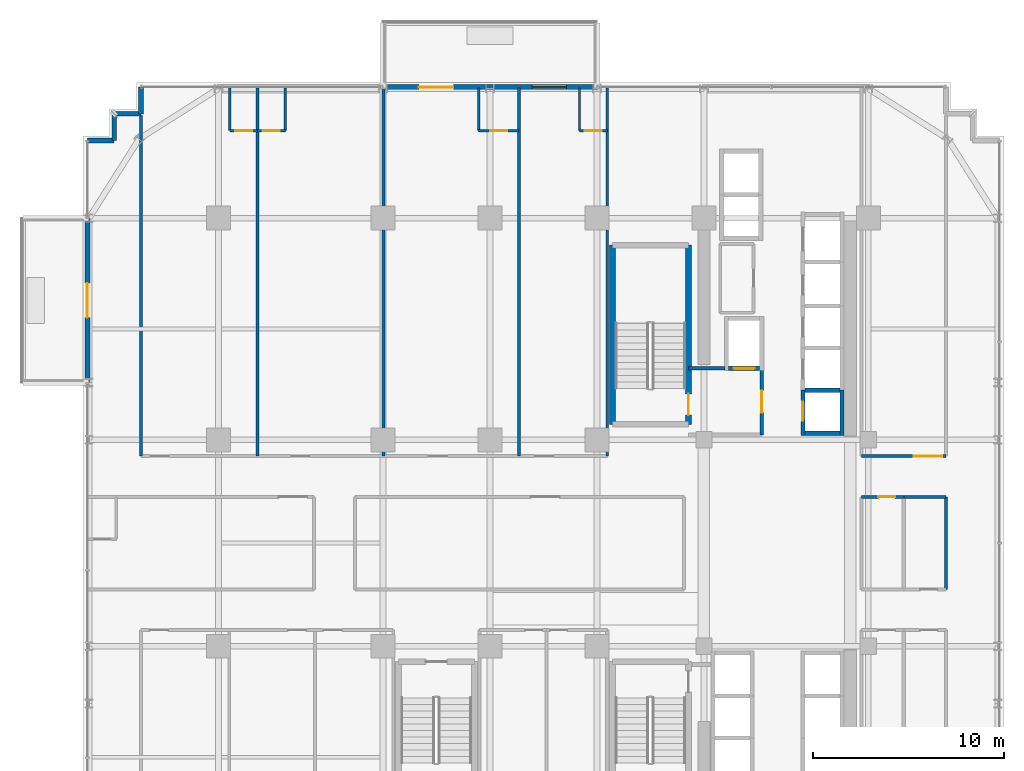
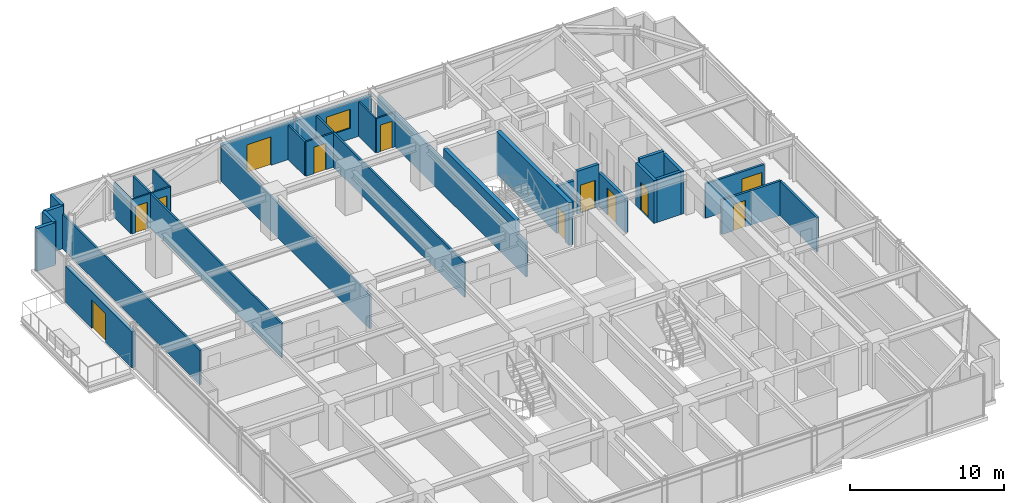
# One storey, part 34 of 39: 32 walls, 12 doors, 1 window, 13 openings.
"""IFC4 building model written with IfcOpenShell, lengths in metres."""

from ifc_helpers import new_model, si_unit, direction, frame, frame_2d, origin, place, context, subcontext, project, spatial, rectangle, extrude, source, transform, mapped, material, layer, layer_set, type_object, element, fill, save


model = new_model("IFC4")

# Units and contexts
model_context = context("Model", 3, precision=1e-05, world=origin(), true_north=direction((0.0, 1.0)))
body_context = subcontext(model_context, "Body", "Model", "MODEL_VIEW")
ifc_project = project(units=[si_unit("LENGTHUNIT", "METRE"), si_unit("AREAUNIT", "SQUARE_METRE"), si_unit("VOLUMEUNIT", "CUBIC_METRE"), si_unit("PLANEANGLEUNIT", "RADIAN"), si_unit("MASSUNIT", "GRAM", prefix="KILO")], contexts=[model_context])

# Site, building, storey
site_placement = place(None, origin())
site = spatial("IfcSite", under=ifc_project, at=site_placement, CompositionType="ELEMENT")
building_placement = place(site_placement, origin())
building = spatial("IfcBuilding", under=site, at=building_placement, Name="Nahalor Promenade Grand Hotel", CompositionType="ELEMENT")
storey_placement = place(building_placement, frame((0.0, 0.0, 135.75)))
storey = spatial("IfcBuildingStorey", under=building, at=storey_placement, Name="L34", CompositionType="ELEMENT", Elevation=135.75)

# Wall
ifc_material_1 = material(Name="Concrete B-50 (C40/50)", Category="concrete")
ifc_layer_1 = layer(ifc_material_1, 0.300048828125)
ifc_layer_set_1 = layer_set([ifc_layer_1], Name="Concrete B-50 (C40/50)")
wall_type_1 = type_object("IfcWallType", Name="Wall-ShaftShear-300", PredefinedType="SHEAR", material=ifc_layer_set_1)
shared_shape_1 = source(origin(), body_context, "Body", "SweptSolid", [
    extrude(rectangle(XDim=9.380126953125, YDim=0.300048828125, at=frame_2d((4.68994140625, 0.0))), origin(), (0.0, 0.0, 1.0), 3.3798828125),
])
wall_1_placement = place(storey_placement, frame((3.610107421875, 6.2099609375, 0.0), z_axis=(0.0, 0.0, 1.0), x_axis=(0.0, 1.0, 0.0)))
element("IfcWall", 1, at=wall_1_placement, inside=storey, type_object=wall_type_1, Name="L34 Exit Stair ST1 Shaft Wall W", PredefinedType="SHEAR", context=body_context, shape_type="MappedRepresentation", body=[
    mapped(shared_shape_1, transform((0.0, 0.0, 0.0), scale=1.0)),
])

# Wall, opening, door
wall_2_placement = place(storey_placement, frame((7.590087890625, 6.2099609375, 0.0), z_axis=(0.0, 0.0, 1.0), x_axis=(0.0, 1.0, 0.0)))
wall_2 = element("IfcWall", 2, at=wall_2_placement, inside=storey, type_object=wall_type_1, Name="L34 Exit Stair ST1 Shaft Wall E", PredefinedType="SHEAR", context=body_context, shape_type="MappedRepresentation", body=[
    mapped(shared_shape_1, transform((0.0, 0.0, 0.0), scale=1.0)),
])
opening_1_placement = place(wall_2_placement, frame((0.489990234375, 0.0, 0.0)))
opening_1 = element("IfcOpeningElement", 3, at=opening_1_placement, cuts=wall_2, Name="Opening D-ST1", PredefinedType="OPENING", context=body_context, shape_type="SweptSolid", body=[
    extrude(rectangle(XDim=1.10009765625, YDim=2.14990234375, at=frame_2d((0.550048828125, 1.074951171875))), frame((0.0, 0.159912109375, 0.0), z_axis=(0.0, -1.0, 0.0), x_axis=(1.0, 0.0, 0.0)), (0.0, 0.0, 1.0), 0.320068359375),
])
ifc_material_2 = material(Name="Steel S355JR", Category="steel")
door_type_1 = type_object("IfcDoorType", Name="Door-StairFire-1100", OperationType="NOTDEFINED", PredefinedType="DOOR", material=ifc_material_2)
shared_shape_2 = source(origin(), body_context, "Body", "SweptSolid", [
    extrude(rectangle(XDim=1.10009765625, YDim=2.14990234375, at=frame_2d((0.550048828125, 1.074951171875))), frame((0.0, 0.02490234375, 0.0), z_axis=(0.0, -1.0, 0.0), x_axis=(1.0, 0.0, 0.0)), (0.0, 0.0, 1.0), 0.050048828125),
])
door_1_placement = place(opening_1_placement, origin())
door_1 = element("IfcDoor", 4, at=door_1_placement, inside=storey, type_object=door_type_1, Name="DR-STAIR-ST1-L34", OperationType="SINGLE_SWING_LEFT", OverallHeight=2.14990234375, OverallWidth=1.10009765625, PredefinedType="DOOR", context=body_context, shape_type="MappedRepresentation", body=[
    mapped(shared_shape_2, transform((0.0, 0.0, 0.0), scale=1.0)),
])
fill(opening_1, door_1)

# Wall
ifc_layer_2 = layer(ifc_material_1, 0.219970703125)
ifc_layer_set_2 = layer_set([ifc_layer_2], Name="Concrete B-50 (C40/50)")
wall_type_2 = type_object("IfcWallType", Name="Wall-LiftShaft-220", PredefinedType="SHEAR", material=ifc_layer_set_2)
shared_shape_3 = source(origin(), body_context, "Body", "SweptSolid", [
    extrude(rectangle(XDim=1.820068359375, YDim=0.219970703125, at=frame_2d((0.91015625, 0.0))), origin(), (0.0, 0.0, 1.0), 3.64990234375),
])
wall_3_placement = place(storey_placement, frame((13.68994140625, 8.0, 0.0), z_axis=(0.0, 0.0, 1.0), x_axis=(1.0, 0.0, 0.0)))
element("IfcWall", 5, at=wall_3_placement, inside=storey, type_object=wall_type_2, Name="L34 Lift PL1 Hoistway Wall N", PredefinedType="SHEAR", context=body_context, shape_type="MappedRepresentation", body=[
    mapped(shared_shape_3, transform((0.0, 0.0, 0.0), scale=1.0)),
])

# Wall, opening, door
shared_shape_4 = source(origin(), body_context, "Body", "SweptSolid", [
    extrude(rectangle(XDim=2.360107421875, YDim=0.219970703125, at=frame_2d((1.18017578125, 0.0))), origin(), (0.0, 0.0, 1.0), 3.3798828125),
])
wall_4_placement = place(storey_placement, frame((13.580078125, 5.639892578125, 0.0), z_axis=(0.0, 0.0, 1.0), x_axis=(0.0, 1.0, 0.0)))
wall_4 = element("IfcWall", 6, at=wall_4_placement, inside=storey, type_object=wall_type_2, Name="L34 Lift PL1 Hoistway Wall W", PredefinedType="SHEAR", context=body_context, shape_type="MappedRepresentation", body=[
    mapped(shared_shape_4, transform((0.0, 0.0, 0.0), scale=1.0)),
])
opening_2_placement = place(wall_4_placement, frame((0.760009765625, 0.0, 0.0)))
opening_2 = element("IfcOpeningElement", 7, at=opening_2_placement, cuts=wall_4, Name="Opening LD-01", PredefinedType="OPENING", context=body_context, shape_type="SweptSolid", body=[
    extrude(rectangle(XDim=1.0, YDim=2.199951171875, at=frame_2d((0.5, 1.10009765625))), frame((0.0, 0.119873046875, 0.0), z_axis=(0.0, -1.0, 0.0), x_axis=(1.0, 0.0, 0.0)), (0.0, 0.0, 1.0), 0.239990234375),
])
door_type_2 = type_object("IfcDoorType", Name="Door-LiftLanding-1000", OperationType="DOUBLE_DOOR_SLIDING", PredefinedType="DOOR", material=ifc_material_2)
shared_shape_5 = source(origin(), body_context, "Body", "SweptSolid", [
    extrude(rectangle(XDim=1.0, YDim=2.199951171875, at=frame_2d((0.5, 1.10009765625))), frame((0.0, 0.02490234375, 0.0), z_axis=(0.0, -1.0, 0.0), x_axis=(1.0, 0.0, 0.0)), (0.0, 0.0, 1.0), 0.050048828125),
])
door_2_placement = place(opening_2_placement, origin())
door_2 = element("IfcDoor", 8, at=door_2_placement, inside=storey, type_object=door_type_2, Name="DR-LIFT-PL1-L34", OperationType="DOUBLE_DOOR_SLIDING", OverallHeight=2.199951171875, OverallWidth=1.0, PredefinedType="DOOR", context=body_context, shape_type="MappedRepresentation", body=[
    mapped(shared_shape_5, transform((0.0, 0.0, 0.0), scale=1.0)),
])
fill(opening_2, door_2)

# Walls
wall_5_placement = place(storey_placement, frame((15.6201171875, 5.639892578125, 0.0), z_axis=(0.0, 0.0, 1.0), x_axis=(0.0, 1.0, 0.0)))
element("IfcWall", 9, at=wall_5_placement, inside=storey, type_object=wall_type_2, Name="L34 Lift PL1 Hoistway Wall E", PredefinedType="SHEAR", context=body_context, shape_type="MappedRepresentation", body=[
    mapped(shared_shape_4, transform((0.0, 0.0, 0.0), scale=1.0)),
])
shared_shape_6 = source(origin(), body_context, "Body", "SweptSolid", [
    extrude(rectangle(XDim=1.820068359375, YDim=0.219970703125, at=frame_2d((0.91015625, 0.0))), origin(), (0.0, 0.0, 1.0), 3.3798828125),
])
wall_6_placement = place(storey_placement, frame((13.68994140625, 5.75, 0.0), z_axis=(0.0, 0.0, 1.0), x_axis=(1.0, 0.0, 0.0)))
element("IfcWall", 10, at=wall_6_placement, inside=storey, type_object=wall_type_2, Name="L34 Lift PL1 Hoistway Wall S", PredefinedType="SHEAR", context=body_context, shape_type="MappedRepresentation", body=[
    mapped(shared_shape_6, transform((0.0, 0.0, 0.0), scale=1.0)),
])

# Wall, opening, door
shared_shape_7 = source(origin(), body_context, "Body", "SweptSolid", [
    extrude(rectangle(XDim=1.6201171875, YDim=0.219970703125, at=frame_2d((0.81005859375, 0.0))), origin(), (0.0, 0.0, 1.0), 3.3798828125),
])
wall_7_placement = place(storey_placement, frame((9.68994140625, 9.14990234375, 0.0), z_axis=(0.0, 0.0, 1.0), x_axis=(1.0, 0.0, 0.0)))
wall_7 = element("IfcWall", 11, at=wall_7_placement, inside=storey, type_object=wall_type_2, Name="L34 Lift FL1 Hoistway Wall S", PredefinedType="SHEAR", context=body_context, shape_type="MappedRepresentation", body=[
    mapped(shared_shape_7, transform((0.0, 0.0, 0.0), scale=1.0)),
])
opening_3_placement = place(wall_7_placement, frame((0.260009765625, 0.0, 0.0)))
opening_3 = element("IfcOpeningElement", 12, at=opening_3_placement, cuts=wall_7, Name="Opening LD-02", PredefinedType="OPENING", context=body_context, shape_type="SweptSolid", body=[
    extrude(rectangle(XDim=1.10009765625, YDim=2.199951171875, at=frame_2d((0.550048828125, 1.10009765625))), frame((0.0, 0.119873046875, 0.0), z_axis=(0.0, -1.0, 0.0), x_axis=(1.0, 0.0, 0.0)), (0.0, 0.0, 1.0), 0.239990234375),
])
door_type_3 = type_object("IfcDoorType", Name="Door-LiftFF-1100", OperationType="DOUBLE_DOOR_SLIDING", PredefinedType="DOOR", material=ifc_material_2)
shared_shape_8 = source(origin(), body_context, "Body", "SweptSolid", [
    extrude(rectangle(XDim=1.10009765625, YDim=2.199951171875, at=frame_2d((0.550048828125, 1.10009765625))), frame((0.0, 0.02490234375, 0.0), z_axis=(0.0, -1.0, 0.0), x_axis=(1.0, 0.0, 0.0)), (0.0, 0.0, 1.0), 0.050048828125),
])
door_3_placement = place(opening_3_placement, frame((1.10009765625, 0.0, 0.0), z_axis=(0.0, 0.0, 1.0), x_axis=(-1.0, 0.0, 0.0)))
door_3 = element("IfcDoor", 13, at=door_3_placement, inside=storey, type_object=door_type_3, Name="DR-LIFT-FL1-L34", OperationType="DOUBLE_DOOR_SLIDING", OverallHeight=2.199951171875, OverallWidth=1.10009765625, PredefinedType="DOOR", context=body_context, shape_type="MappedRepresentation", body=[
    mapped(shared_shape_8, transform((0.0, 0.0, 0.0), scale=1.0)),
])
fill(opening_3, door_3)

# Walls
ifc_material_3 = material(Name="Concrete B-40 (C32/40)", Category="concrete")
ifc_layer_3 = layer(ifc_material_3, 0.25)
ifc_layer_set_3 = layer_set([ifc_layer_3], Name="Concrete B-40 (C32/40)")
wall_type_3 = type_object("IfcWallType", Name="Wall-BronzePier-250", PredefinedType="STANDARD", material=ifc_layer_set_3)
shared_shape_9 = source(origin(), body_context, "Body", "SweptSolid", [
    extrude(rectangle(XDim=1.400146484375, YDim=0.25, at=frame_2d((0.7001953125, 0.0))), origin(), (0.0, 0.0, 1.0), 3.3798828125),
])
for number, where, z_axis, x_axis, name in (
    (14, (-21.06005859375, 22.4599609375, 0.0), (0.0, 0.0, 1.0), (0.0, 1.0, 0.0), "W-L34-SR-09"),
    (15, (-23.860107421875, 21.06005859375, 0.0), (0.0, 0.0, 1.0), (1.0, 0.0, 0.0), "W-L34-SR-12"),
):
    element("IfcWall", number, at=place(storey_placement, frame(where, z_axis=z_axis, x_axis=x_axis)), inside=storey, type_object=wall_type_3, Name=name, PredefinedType="STANDARD", context=body_context, shape_type="MappedRepresentation", body=[
        mapped(shared_shape_9, transform((0.0, 0.0, 0.0), scale=1.0)),
    ])
shared_shape_10 = source(origin(), body_context, "Body", "SweptSolid", [
    extrude(rectangle(XDim=1.39990234375, YDim=0.25, at=frame_2d((0.699951171875, 0.0))), origin(), (0.0, 0.0, 1.0), 3.3798828125),
])
for number, where, z_axis, x_axis, name in (
    (16, (-22.4599609375, 22.4599609375, 0.0), (0.0, 0.0, 1.0), (1.0, 0.0, 0.0), "W-L34-SR-10"),
    (17, (-22.4599609375, 21.06005859375, 0.0), (0.0, 0.0, 1.0), (0.0, 1.0, 0.0), "W-L34-SR-11"),
):
    element("IfcWall", number, at=place(storey_placement, frame(where, z_axis=z_axis, x_axis=x_axis)), inside=storey, type_object=wall_type_3, Name=name, PredefinedType="STANDARD", context=body_context, shape_type="MappedRepresentation", body=[
        mapped(shared_shape_10, transform((0.0, 0.0, 0.0), scale=1.0)),
    ])

# Wall, openings, door, window
ifc_layer_4 = layer(ifc_material_3, 0.260009765625)
ifc_layer_set_4 = layer_set([ifc_layer_4], Name="Concrete B-40 (C32/40)")
wall_type_4 = type_object("IfcWallType", Name="Wall-BalconyWall-260", PredefinedType="STANDARD", material=ifc_layer_set_4)
shared_shape_11 = source(origin(), body_context, "Body", "SweptSolid", [
    extrude(rectangle(XDim=11.199951171875, YDim=0.260009765625, at=frame_2d((5.60009765625, 0.0))), origin(), (0.0, 0.0, 1.0), 2.860107421875),
])
wall_8_placement = place(storey_placement, frame((-8.39990234375, 23.860107421875, 0.0), z_axis=(0.0, 0.0, 1.0), x_axis=(1.0, 0.0, 0.0)))
wall_8 = element("IfcWall", 18, at=wall_8_placement, inside=storey, type_object=wall_type_4, Name="W-L34-BALC-N-2", PredefinedType="STANDARD", context=body_context, shape_type="MappedRepresentation", body=[
    mapped(shared_shape_11, transform((0.0, 0.0, 0.0), scale=1.0)),
])
opening_4_placement = place(wall_8_placement, frame((1.881103515625, 0.0, 0.0)))
opening_4 = element("IfcOpeningElement", 19, at=opening_4_placement, cuts=wall_8, Name="Opening D-BC1", PredefinedType="OPENING", context=body_context, shape_type="SweptSolid", body=[
    extrude(rectangle(XDim=1.800048828125, YDim=2.25, at=frame_2d((0.89990234375, 1.125))), frame((0.0, 0.139892578125, 0.0), z_axis=(0.0, -1.0, 0.0), x_axis=(1.0, 0.0, 0.0)), (0.0, 0.0, 1.0), 0.280029296875),
])
opening_5_placement = place(wall_8_placement, frame((7.805908203125, 0.0, 0.85009765625)))
opening_5 = element("IfcOpeningElement", 20, at=opening_5_placement, cuts=wall_8, Name="Opening WN-01", PredefinedType="OPENING", context=body_context, shape_type="SweptSolid", body=[
    extrude(rectangle(XDim=1.800048828125, YDim=1.5, at=frame_2d((0.89990234375, 0.75))), frame((0.0, 0.139892578125, 0.0), z_axis=(0.0, -1.0, 0.0), x_axis=(1.0, 0.0, 0.0)), (0.0, 0.0, 1.0), 0.280029296875),
])
ifc_material_4 = material(Name="Anodised Bronze Aluminium EN AW-6063 T6", Category="aluminium")
door_type_4 = type_object("IfcDoorType", Name="Door-BalconySlide-1800", OperationType="DOUBLE_DOOR_SLIDING", PredefinedType="DOOR", material=ifc_material_4)
shared_shape_12 = source(origin(), body_context, "Body", "SweptSolid", [
    extrude(rectangle(XDim=1.800048828125, YDim=2.25, at=frame_2d((0.89990234375, 1.125))), frame((0.0, 0.02490234375, 0.0), z_axis=(0.0, -1.0, 0.0), x_axis=(1.0, 0.0, 0.0)), (0.0, 0.0, 1.0), 0.050048828125),
])
door_4_placement = place(opening_4_placement, origin())
door_4 = element("IfcDoor", 21, at=door_4_placement, inside=storey, type_object=door_type_4, Name="DR-L34-BALC-N-2", OperationType="DOUBLE_DOOR_SLIDING", OverallHeight=2.25, OverallWidth=1.800048828125, PredefinedType="DOOR", context=body_context, shape_type="MappedRepresentation", body=[
    mapped(shared_shape_12, transform((0.0, 0.0, 0.0), scale=1.0)),
])
fill(opening_4, door_4)
ifc_material_5 = material(Name="Low-E Laminated Solar Glass", Category="glass")
window_type = type_object("IfcWindowType", Name="Win-ChicagoBay-1800x1500", PartitioningType="SINGLE_PANEL", PredefinedType="WINDOW", material=ifc_material_5)
shared_shape_13 = source(origin(), body_context, "Body", "SweptSolid", [
    extrude(rectangle(XDim=1.800048828125, YDim=1.5, at=frame_2d((0.89990234375, 0.75))), frame((0.0, 0.030029296875, 0.0), z_axis=(0.0, -1.0, 0.0), x_axis=(1.0, 0.0, 0.0)), (0.0, 0.0, 1.0), 0.06005859375),
])
window_placement = place(opening_5_placement, origin())
window = element("IfcWindow", 22, at=window_placement, inside=storey, type_object=window_type, Name="WN-L34-BALC-N-2-1", OverallHeight=1.5, OverallWidth=1.800048828125, PartitioningType="SINGLE_PANEL", PredefinedType="WINDOW", context=body_context, shape_type="MappedRepresentation", body=[
    mapped(shared_shape_13, transform((0.0, 0.0, 0.0), scale=1.0)),
])
fill(opening_5, window)

# Wall, opening, door
shared_shape_14 = source(origin(), body_context, "Body", "SweptSolid", [
    extrude(rectangle(XDim=8.60009765625, YDim=0.260009765625, at=frame_2d((4.300048828125, 0.0))), origin(), (0.0, 0.0, 1.0), 2.860107421875),
])
wall_9_placement = place(storey_placement, frame((-23.860107421875, 8.39990234375, 0.0), z_axis=(0.0, 0.0, 1.0), x_axis=(0.0, 1.0, 0.0)))
wall_9 = element("IfcWall", 23, at=wall_9_placement, inside=storey, type_object=wall_type_4, Name="W-L34-BALC-W-2", PredefinedType="STANDARD", context=body_context, shape_type="MappedRepresentation", body=[
    mapped(shared_shape_14, transform((0.0, 0.0, 0.0), scale=1.0)),
])
opening_6_placement = place(wall_9_placement, frame((3.39990234375, 0.0, 0.0)))
opening_6 = element("IfcOpeningElement", 24, at=opening_6_placement, cuts=wall_9, Name="Opening D-BC1", PredefinedType="OPENING", context=body_context, shape_type="SweptSolid", body=[
    extrude(rectangle(XDim=1.800048828125, YDim=2.25, at=frame_2d((0.89990234375, 1.125))), frame((0.0, 0.139892578125, 0.0), z_axis=(0.0, -1.0, 0.0), x_axis=(1.0, 0.0, 0.0)), (0.0, 0.0, 1.0), 0.280029296875),
])
door_5_placement = place(opening_6_placement, origin())
door_5 = element("IfcDoor", 25, at=door_5_placement, inside=storey, type_object=door_type_4, Name="DR-L34-BALC-W-2", OperationType="DOUBLE_DOOR_SLIDING", OverallHeight=2.25, OverallWidth=1.800048828125, PredefinedType="DOOR", context=body_context, shape_type="MappedRepresentation", body=[
    mapped(shared_shape_12, transform((0.0, 0.0, 0.0), scale=1.0)),
])
fill(opening_6, door_5)

# Wall
ifc_layer_5 = layer(ifc_material_3, 0.199951171875)
ifc_layer_set_5 = layer_set([ifc_layer_5], Name="Concrete B-40 (C32/40)")
wall_type_5 = type_object("IfcWallType", Name="Wall-PartFire-200", PredefinedType="PARTITIONING", material=ifc_layer_set_5)
shared_shape_15 = source(origin(), body_context, "Body", "SweptSolid", [
    extrude(rectangle(XDim=1.89990234375, YDim=0.199951171875, at=frame_2d((0.949951171875, 0.0))), origin(), (0.0, 0.0, 1.0), 2.719970703125),
])
wall_10_placement = place(storey_placement, frame((7.60009765625, 9.14990234375, 0.0), z_axis=(0.0, 0.0, 1.0), x_axis=(1.0, 0.0, 0.0)))
element("IfcWall", 26, at=wall_10_placement, inside=storey, type_object=wall_type_5, Name="W-L34-FF1-N", PredefinedType="PARTITIONING", context=body_context, shape_type="MappedRepresentation", body=[
    mapped(shared_shape_15, transform((0.0, 0.0, 0.0), scale=1.0)),
])

# Wall, opening, door
shared_shape_16 = source(origin(), body_context, "Body", "SweptSolid", [
    extrude(rectangle(XDim=3.5, YDim=0.199951171875, at=frame_2d((1.75, 0.0))), origin(), (0.0, 0.0, 1.0), 2.719970703125),
])
wall_11_placement = place(storey_placement, frame((11.419921875, 5.64990234375, 0.0), z_axis=(0.0, 0.0, 1.0), x_axis=(0.0, 1.0, 0.0)))
wall_11 = element("IfcWall", 27, at=wall_11_placement, inside=storey, type_object=wall_type_5, Name="W-L34-FF1-E", PredefinedType="PARTITIONING", context=body_context, shape_type="MappedRepresentation", body=[
    mapped(shared_shape_16, transform((0.0, 0.0, 0.0), scale=1.0)),
])
opening_7_placement = place(wall_11_placement, frame((1.175048828125, 0.0, 0.0)))
opening_7 = element("IfcOpeningElement", 28, at=opening_7_placement, cuts=wall_11, Name="Opening D-FF1", PredefinedType="OPENING", context=body_context, shape_type="SweptSolid", body=[
    extrude(rectangle(XDim=1.14990234375, YDim=2.14990234375, at=frame_2d((0.574951171875, 1.074951171875))), frame((0.0, 0.10986328125, 0.0), z_axis=(0.0, -1.0, 0.0), x_axis=(1.0, 0.0, 0.0)), (0.0, 0.0, 1.0), 0.219970703125),
])
door_type_5 = type_object("IfcDoorType", Name="Door-FFLobby-1150", OperationType="NOTDEFINED", PredefinedType="DOOR", material=ifc_material_2)
shared_shape_17 = source(origin(), body_context, "Body", "SweptSolid", [
    extrude(rectangle(XDim=1.14990234375, YDim=2.14990234375, at=frame_2d((0.574951171875, 1.074951171875))), frame((0.0, 0.02490234375, 0.0), z_axis=(0.0, -1.0, 0.0), x_axis=(1.0, 0.0, 0.0)), (0.0, 0.0, 1.0), 0.050048828125),
])
door_6_placement = place(opening_7_placement, frame((1.14990234375, 0.0, 0.0), z_axis=(0.0, 0.0, 1.0), x_axis=(-1.0, 0.0, 0.0)))
door_6 = element("IfcDoor", 29, at=door_6_placement, inside=storey, type_object=door_type_5, Name="DR-L34-FFL1", OperationType="SINGLE_SWING_RIGHT", OverallHeight=2.14990234375, OverallWidth=1.14990234375, PredefinedType="DOOR", context=body_context, shape_type="MappedRepresentation", body=[
    mapped(shared_shape_17, transform((0.0, 0.0, 0.0), scale=1.0)),
])
fill(opening_7, door_6)

ifc_material_6 = material(Name="Acoustic Mineral Gypsum", Category="gypsum")
ifc_layer_6 = layer(ifc_material_6, 0.159912109375)
ifc_layer_set_6 = layer_set([ifc_layer_6], Name="Acoustic Mineral Gypsum")
wall_type_6 = type_object("IfcWallType", Name="Wall-PartCorridor-160", PredefinedType="PARTITIONING", material=ifc_layer_set_6)
shared_shape_18 = source(origin(), body_context, "Body", "SweptSolid", [
    extrude(rectangle(XDim=4.41015625, YDim=0.159912109375, at=frame_2d((2.205078125, 0.0))), origin(), (0.0, 0.0, 1.0), 2.719970703125),
])
wall_12_placement = place(storey_placement, frame((16.64990234375, 4.550048828125, 0.0), z_axis=(0.0, 0.0, 1.0), x_axis=(1.0, 0.0, 0.0)))
wall_12 = element("IfcWall", 30, at=wall_12_placement, inside=storey, type_object=wall_type_6, Name="W-L34-ENE-S", PredefinedType="PARTITIONING", context=body_context, shape_type="MappedRepresentation", body=[
    mapped(shared_shape_18, transform((0.0, 0.0, 0.0), scale=1.0)),
])
opening_8_placement = place(wall_12_placement, frame((2.721923828125, 0.0, 0.0)))
opening_8 = element("IfcOpeningElement", 31, at=opening_8_placement, cuts=wall_12, Name="Opening D-02", PredefinedType="OPENING", context=body_context, shape_type="SweptSolid", body=[
    extrude(rectangle(XDim=1.5, YDim=2.14990234375, at=frame_2d((0.75, 1.074951171875))), frame((0.0, 0.08984375, 0.0), z_axis=(0.0, -1.0, 0.0), x_axis=(1.0, 0.0, 0.0)), (0.0, 0.0, 1.0), 0.179931640625),
])
ifc_material_7 = material(Name="Fire-Rated Timber Composite", Category="wood")
door_type_6 = type_object("IfcDoorType", Name="Door-SuiteDouble-1500", OperationType="DOUBLE_DOOR_SINGLE_SWING", PredefinedType="DOOR", material=ifc_material_7)
shared_shape_19 = source(origin(), body_context, "Body", "SweptSolid", [
    extrude(rectangle(XDim=1.5, YDim=2.14990234375, at=frame_2d((0.75, 1.074951171875))), frame((0.0, 0.02490234375, 0.0), z_axis=(0.0, -1.0, 0.0), x_axis=(1.0, 0.0, 0.0)), (0.0, 0.0, 1.0), 0.050048828125),
])
door_7_placement = place(opening_8_placement, origin())
door_7 = element("IfcDoor", 32, at=door_7_placement, inside=storey, type_object=door_type_6, Name="DR-L34-ENE", OperationType="DOUBLE_DOOR_SINGLE_SWING", OverallHeight=2.14990234375, OverallWidth=1.5, PredefinedType="DOOR", context=body_context, shape_type="MappedRepresentation", body=[
    mapped(shared_shape_19, transform((0.0, 0.0, 0.0), scale=1.0)),
])
fill(opening_8, door_7)

# Walls
ifc_layer_7 = layer(ifc_material_6, 0.139892578125)
ifc_layer_set_7 = layer_set([ifc_layer_7], Name="Acoustic Mineral Gypsum")
wall_type_7 = type_object("IfcWallType", Name="Wall-PartSuite-140", PredefinedType="PARTITIONING", material=ifc_layer_set_7)
shared_shape_20 = source(origin(), body_context, "Body", "SweptSolid", [
    extrude(rectangle(XDim=17.829833984375, YDim=0.139892578125, at=frame_2d((8.9150390625, 0.0))), origin(), (0.0, 0.0, 1.0), 2.719970703125),
])
wall_13_placement = place(storey_placement, frame((-21.06005859375, 4.550048828125, 0.0), z_axis=(0.0, 0.0, 1.0), x_axis=(0.0, 1.0, 0.0)))
element("IfcWall", 33, at=wall_13_placement, inside=storey, type_object=wall_type_7, Name="W-L34-NW-ENDW", PredefinedType="PARTITIONING", context=body_context, shape_type="MappedRepresentation", body=[
    mapped(shared_shape_20, transform((0.0, 0.0, 0.0), scale=1.0)),
])
shared_shape_21 = source(origin(), body_context, "Body", "SweptSolid", [
    extrude(rectangle(XDim=19.25, YDim=0.139892578125, at=frame_2d((9.625, 0.0))), origin(), (0.0, 0.0, 1.0), 2.719970703125),
])
for number, where, z_axis, x_axis, name in (
    (34, (3.340087890625, 4.550048828125, 0.0), (0.0, 0.0, 1.0), (0.0, 1.0, 0.0), "W-L34-NW-ENDE"),
    (35, (-14.9599609375, 4.550048828125, 0.0), (0.0, 0.0, 1.0), (0.0, 1.0, 0.0), "W-L34-NP-1"),
    (36, (-8.3720703125, 4.550048828125, 0.0), (0.0, 0.0, 1.0), (0.0, 1.0, 0.0), "W-L34-NP-2"),
    (37, (-1.278076171875, 4.550048828125, 0.0), (0.0, 0.0, 1.0), (0.0, 1.0, 0.0), "W-L34-NP-3"),
):
    element("IfcWall", number, at=place(storey_placement, frame(where, z_axis=z_axis, x_axis=x_axis)), inside=storey, type_object=wall_type_7, Name=name, PredefinedType="PARTITIONING", context=body_context, shape_type="MappedRepresentation", body=[
        mapped(shared_shape_21, transform((0.0, 0.0, 0.0), scale=1.0)),
    ])

# Wall, opening, door
ifc_layer_8 = layer(ifc_material_6, 0.1201171875)
ifc_layer_set_8 = layer_set([ifc_layer_8], Name="Acoustic Mineral Gypsum")
wall_type_8 = type_object("IfcWallType", Name="Wall-PartBath-120", PredefinedType="PARTITIONING", material=ifc_layer_set_8)
shared_shape_22 = source(origin(), body_context, "Body", "SweptSolid", [
    extrude(rectangle(XDim=1.4501953125, YDim=0.1201171875, at=frame_2d((0.72509765625, 0.0))), origin(), (0.0, 0.0, 1.0), 2.719970703125),
])
wall_14_placement = place(storey_placement, frame((1.889892578125, 21.580078125, 0.0), z_axis=(0.0, 0.0, 1.0), x_axis=(1.0, 0.0, 0.0)))
wall_14 = element("IfcWall", 38, at=wall_14_placement, inside=storey, type_object=wall_type_8, Name="W-L34-N4-BH", PredefinedType="PARTITIONING", context=body_context, shape_type="MappedRepresentation", body=[
    mapped(shared_shape_22, transform((0.0, 0.0, 0.0), scale=1.0)),
])
opening_9_placement = place(wall_14_placement, frame((0.284912109375, 0.0, 0.0)))
opening_9 = element("IfcOpeningElement", 39, at=opening_9_placement, cuts=wall_14, Name="Opening D-03", PredefinedType="OPENING", context=body_context, shape_type="SweptSolid", body=[
    extrude(rectangle(XDim=0.8798828125, YDim=2.10009765625, at=frame_2d((0.43994140625, 1.050048828125))), frame((0.0, 0.070068359375, 0.0), z_axis=(0.0, -1.0, 0.0), x_axis=(1.0, 0.0, 0.0)), (0.0, 0.0, 1.0), 0.14013671875),
])
door_type_7 = type_object("IfcDoorType", Name="Door-BathSwing-880", OperationType="NOTDEFINED", PredefinedType="DOOR", material=ifc_material_7)
shared_shape_23 = source(origin(), body_context, "Body", "SweptSolid", [
    extrude(rectangle(XDim=0.8798828125, YDim=2.10009765625, at=frame_2d((0.43994140625, 1.050048828125))), frame((0.0, 0.02490234375, 0.0), z_axis=(0.0, -1.0, 0.0), x_axis=(1.0, 0.0, 0.0)), (0.0, 0.0, 1.0), 0.050048828125),
])
door_8_placement = place(opening_9_placement, origin())
door_8 = element("IfcDoor", 40, at=door_8_placement, inside=storey, type_object=door_type_7, Name="DR-L34-N4-BATH", OperationType="SINGLE_SWING_LEFT", OverallHeight=2.10009765625, OverallWidth=0.8798828125, PredefinedType="DOOR", context=body_context, shape_type="MappedRepresentation", body=[
    mapped(shared_shape_23, transform((0.0, 0.0, 0.0), scale=1.0)),
])
fill(opening_9, door_8)

# Walls
shared_shape_24 = source(origin(), body_context, "Body", "SweptSolid", [
    extrude(rectangle(XDim=2.219970703125, YDim=0.1201171875, at=frame_2d((1.10986328125, 0.0))), origin(), (0.0, 0.0, 1.0), 2.719970703125),
])
for number, where, z_axis, x_axis, name in (
    (41, (-16.409912109375, 21.580078125, 0.0), (0.0, 0.0, 1.0), (0.0, 1.0, 0.0), "W-L34-N1-BV"),
    (42, (-13.510009765625, 21.580078125, 0.0), (0.0, 0.0, 1.0), (0.0, 1.0, 0.0), "W-L34-N2-BV"),
    (43, (-3.387939453125, 21.580078125, 0.0), (0.0, 0.0, 1.0), (0.0, 1.0, 0.0), "W-L34-N3-BV"),
    (44, (1.889892578125, 21.580078125, 0.0), (0.0, 0.0, 1.0), (0.0, 1.0, 0.0), "W-L34-N4-BV"),
):
    element("IfcWall", number, at=place(storey_placement, frame(where, z_axis=z_axis, x_axis=x_axis)), inside=storey, type_object=wall_type_8, Name=name, PredefinedType="PARTITIONING", context=body_context, shape_type="MappedRepresentation", body=[
        mapped(shared_shape_24, transform((0.0, 0.0, 0.0), scale=1.0)),
    ])

# Wall, opening, door
shared_shape_25 = source(origin(), body_context, "Body", "SweptSolid", [
    extrude(rectangle(XDim=1.449951171875, YDim=0.1201171875, at=frame_2d((0.72509765625, 0.0))), origin(), (0.0, 0.0, 1.0), 2.719970703125),
])
wall_15_placement = place(storey_placement, frame((-16.409912109375, 21.580078125, 0.0), z_axis=(0.0, 0.0, 1.0), x_axis=(1.0, 0.0, 0.0)))
wall_15 = element("IfcWall", 45, at=wall_15_placement, inside=storey, type_object=wall_type_8, Name="W-L34-N1-BH", PredefinedType="PARTITIONING", context=body_context, shape_type="MappedRepresentation", body=[
    mapped(shared_shape_25, transform((0.0, 0.0, 0.0), scale=1.0)),
])
opening_10_placement = place(wall_15_placement, frame((0.284912109375, 0.0, 0.0)))
opening_10 = element("IfcOpeningElement", 46, at=opening_10_placement, cuts=wall_15, Name="Opening D-03", PredefinedType="OPENING", context=body_context, shape_type="SweptSolid", body=[
    extrude(rectangle(XDim=0.8798828125, YDim=2.10009765625, at=frame_2d((0.43994140625, 1.050048828125))), frame((0.0, 0.070068359375, 0.0), z_axis=(0.0, -1.0, 0.0), x_axis=(1.0, 0.0, 0.0)), (0.0, 0.0, 1.0), 0.14013671875),
])
door_9_placement = place(opening_10_placement, origin())
door_9 = element("IfcDoor", 47, at=door_9_placement, inside=storey, type_object=door_type_7, Name="DR-L34-N1-BATH", OperationType="SINGLE_SWING_LEFT", OverallHeight=2.10009765625, OverallWidth=0.8798828125, PredefinedType="DOOR", context=body_context, shape_type="MappedRepresentation", body=[
    mapped(shared_shape_23, transform((0.0, 0.0, 0.0), scale=1.0)),
])
fill(opening_10, door_9)

wall_16_placement = place(storey_placement, frame((-14.9599609375, 21.580078125, 0.0), z_axis=(0.0, 0.0, 1.0), x_axis=(1.0, 0.0, 0.0)))
wall_16 = element("IfcWall", 48, at=wall_16_placement, inside=storey, type_object=wall_type_8, Name="W-L34-N2-BH", PredefinedType="PARTITIONING", context=body_context, shape_type="MappedRepresentation", body=[
    mapped(shared_shape_25, transform((0.0, 0.0, 0.0), scale=1.0)),
])
opening_11_placement = place(wall_16_placement, frame((0.284912109375, 0.0, 0.0)))
opening_11 = element("IfcOpeningElement", 49, at=opening_11_placement, cuts=wall_16, Name="Opening D-03", PredefinedType="OPENING", context=body_context, shape_type="SweptSolid", body=[
    extrude(rectangle(XDim=0.8798828125, YDim=2.10009765625, at=frame_2d((0.43994140625, 1.050048828125))), frame((0.0, 0.070068359375, 0.0), z_axis=(0.0, -1.0, 0.0), x_axis=(1.0, 0.0, 0.0)), (0.0, 0.0, 1.0), 0.14013671875),
])
door_10_placement = place(opening_11_placement, origin())
door_10 = element("IfcDoor", 50, at=door_10_placement, inside=storey, type_object=door_type_7, Name="DR-L34-N2-BATH", OperationType="SINGLE_SWING_LEFT", OverallHeight=2.10009765625, OverallWidth=0.8798828125, PredefinedType="DOOR", context=body_context, shape_type="MappedRepresentation", body=[
    mapped(shared_shape_23, transform((0.0, 0.0, 0.0), scale=1.0)),
])
fill(opening_11, door_10)

# Wall
shared_shape_26 = source(origin(), body_context, "Body", "SweptSolid", [
    extrude(rectangle(XDim=4.83984375, YDim=0.159912109375, at=frame_2d((2.419921875, 0.0))), origin(), (0.0, 0.0, 1.0), 2.719970703125),
])
wall_17_placement = place(storey_placement, frame((21.06005859375, -2.419921875, 0.0), z_axis=(0.0, 0.0, 1.0), x_axis=(0.0, 1.0, 0.0)))
element("IfcWall", 51, at=wall_17_placement, inside=storey, type_object=wall_type_6, Name="W-L34-ECW2-E", PredefinedType="PARTITIONING", context=body_context, shape_type="MappedRepresentation", body=[
    mapped(shared_shape_26, transform((0.0, 0.0, 0.0), scale=1.0)),
])

# Wall, opening, door
shared_shape_27 = source(origin(), body_context, "Body", "SweptSolid", [
    extrude(rectangle(XDim=2.205078125, YDim=0.159912109375, at=frame_2d((1.1025390625, 0.0))), origin(), (0.0, 0.0, 1.0), 2.719970703125),
])
wall_18_placement = place(storey_placement, frame((16.64990234375, 2.419921875, 0.0), z_axis=(0.0, 0.0, 1.0), x_axis=(1.0, 0.0, 0.0)))
wall_18 = element("IfcWall", 52, at=wall_18_placement, inside=storey, type_object=wall_type_6, Name="W-L34-ECW1-N", PredefinedType="PARTITIONING", context=body_context, shape_type="MappedRepresentation", body=[
    mapped(shared_shape_27, transform((0.0, 0.0, 0.0), scale=1.0)),
])
opening_12_placement = place(wall_18_placement, frame((0.875, 0.0, 0.0)))
opening_12 = element("IfcOpeningElement", 53, at=opening_12_placement, cuts=wall_18, Name="Opening D-03", PredefinedType="OPENING", context=body_context, shape_type="SweptSolid", body=[
    extrude(rectangle(XDim=0.8798828125, YDim=2.10009765625, at=frame_2d((0.43994140625, 1.050048828125))), frame((0.0, 0.08984375, 0.0), z_axis=(0.0, -1.0, 0.0), x_axis=(1.0, 0.0, 0.0)), (0.0, 0.0, 1.0), 0.179931640625),
])
door_11_placement = place(opening_12_placement, frame((0.8798828125, 0.0, 0.0), z_axis=(0.0, 0.0, 1.0), x_axis=(-1.0, 0.0, 0.0)))
door_11 = element("IfcDoor", 54, at=door_11_placement, inside=storey, type_object=door_type_7, Name="DR-L34-ECW1", OperationType="SINGLE_SWING_RIGHT", OverallHeight=2.10009765625, OverallWidth=0.8798828125, PredefinedType="DOOR", context=body_context, shape_type="MappedRepresentation", body=[
    mapped(shared_shape_23, transform((0.0, 0.0, 0.0), scale=1.0)),
])
fill(opening_12, door_11)

# Wall
wall_19_placement = place(storey_placement, frame((18.85498046875, 2.419921875, 0.0), z_axis=(0.0, 0.0, 1.0), x_axis=(1.0, 0.0, 0.0)))
element("IfcWall", 55, at=wall_19_placement, inside=storey, type_object=wall_type_6, Name="W-L34-ECW2-N", PredefinedType="PARTITIONING", context=body_context, shape_type="MappedRepresentation", body=[
    mapped(shared_shape_27, transform((0.0, 0.0, 0.0), scale=1.0)),
])

# Wall, opening, door
shared_shape_28 = source(origin(), body_context, "Body", "SweptSolid", [
    extrude(rectangle(XDim=2.10986328125, YDim=0.1201171875, at=frame_2d((1.054931640625, 0.0))), origin(), (0.0, 0.0, 1.0), 2.719970703125),
])
wall_20_placement = place(storey_placement, frame((-3.387939453125, 21.580078125, 0.0), z_axis=(0.0, 0.0, 1.0), x_axis=(1.0, 0.0, 0.0)))
wall_20 = element("IfcWall", 56, at=wall_20_placement, inside=storey, type_object=wall_type_8, Name="W-L34-N3-BH", PredefinedType="PARTITIONING", context=body_context, shape_type="MappedRepresentation", body=[
    mapped(shared_shape_28, transform((0.0, 0.0, 0.0), scale=1.0)),
])
opening_13_placement = place(wall_20_placement, frame((0.614990234375, 0.0, 0.0)))
opening_13 = element("IfcOpeningElement", 57, at=opening_13_placement, cuts=wall_20, Name="Opening D-03", PredefinedType="OPENING", context=body_context, shape_type="SweptSolid", body=[
    extrude(rectangle(XDim=0.8798828125, YDim=2.10009765625, at=frame_2d((0.43994140625, 1.050048828125))), frame((0.0, 0.070068359375, 0.0), z_axis=(0.0, -1.0, 0.0), x_axis=(1.0, 0.0, 0.0)), (0.0, 0.0, 1.0), 0.14013671875),
])
door_12_placement = place(opening_13_placement, origin())
door_12 = element("IfcDoor", 58, at=door_12_placement, inside=storey, type_object=door_type_7, Name="DR-L34-N3-BATH", OperationType="SINGLE_SWING_LEFT", OverallHeight=2.10009765625, OverallWidth=0.8798828125, PredefinedType="DOOR", context=body_context, shape_type="MappedRepresentation", body=[
    mapped(shared_shape_23, transform((0.0, 0.0, 0.0), scale=1.0)),
])
fill(opening_13, door_12)

save(model, "model.ifc")
